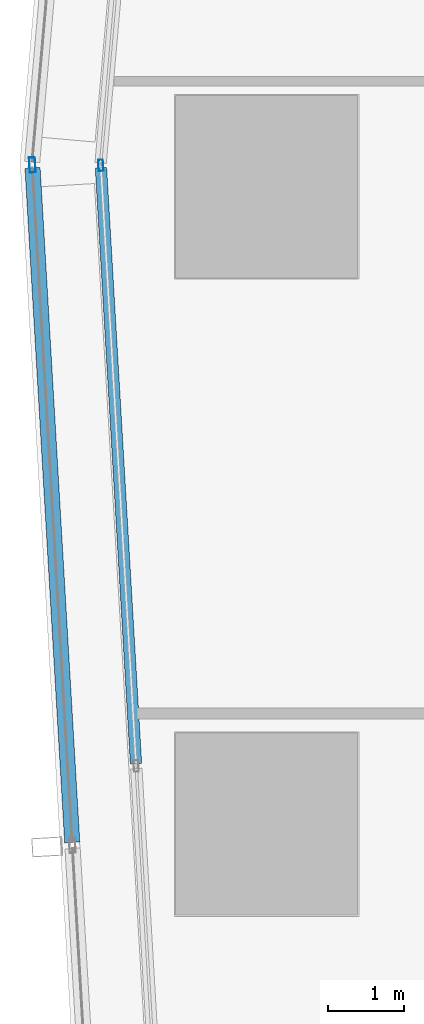
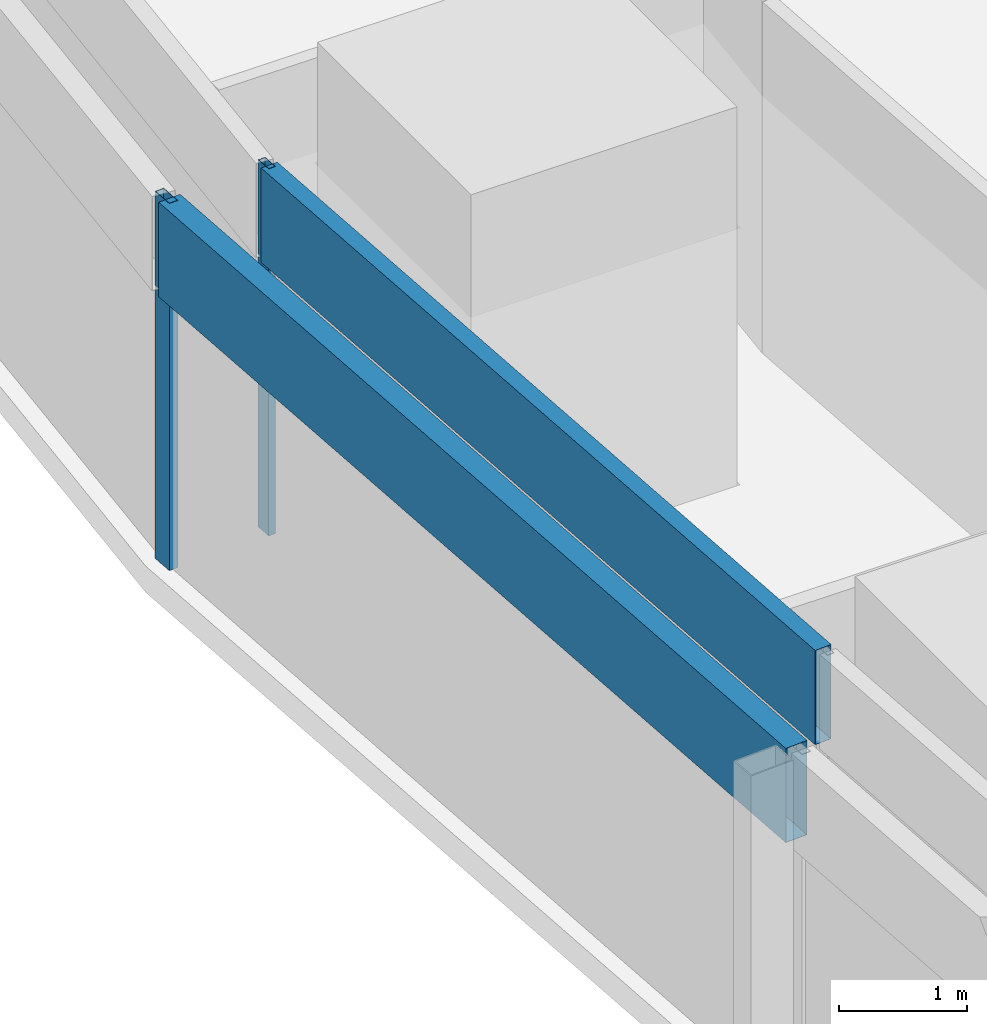
# One storey, part 7 of 37: 4 members, 2 elements without a shape of their own.
"""IFC4 building model written with IfcOpenShell, lengths in metres."""

import ifcopenshell
import ifcopenshell.guid

model = None  # the IFC model being written
_history = None  # IfcOwnerHistory: only IFC2X3 demands one
_inside = {}  # id of a spatial element -> (the spatial element, [elements in it])
_under = {}  # id of a project, library or spatial element -> (it, [spatial elements below it])
_declared = {}  # id of a project -> (the project, [libraries it declares])
_typed = {}  # id of a type object -> (the type object, [elements of that type])
_made_of = {}  # id of a material, layer set ... -> (it, [elements and type objects made of it])


def new_model(schema):
    """Start an empty IFC model of exactly this schema.

    Asked for "IFC4X3", IfcOpenShell would pick the latest addendum, in which some entities
    have other attributes; the version numbers below select the first issue.
    IFC2X3 requires an IfcOwnerHistory on every rooted entity: one is made here for all.
    """
    global model, _history
    if schema == "IFC4X3":
        model = ifcopenshell.file(schema_version=(4, 3, 0, 0))
    else:
        model = ifcopenshell.file(schema=schema)
    _inside.clear()
    _under.clear()
    _declared.clear()
    _typed.clear()
    _made_of.clear()
    _history = None
    if model.schema == "IFC2X3":
        org = make("IfcOrganization", Name="unknown")
        user = make(
            "IfcPersonAndOrganization",
            ThePerson=make("IfcPerson", FamilyName="unknown"),
            TheOrganization=org,
        )
        app = make(
            "IfcApplication",
            ApplicationDeveloper=org,
            Version="unknown",
            ApplicationFullName="unknown",
            ApplicationIdentifier="unknown",
        )
        _history = make(
            "IfcOwnerHistory",
            OwningUser=user,
            OwningApplication=app,
            ChangeAction="ADDED",
            CreationDate=0,
        )
    return model


def make(cls, **values):
    """One entity of the class cls with the attributes given. An attribute that is None is left unset."""
    return model.create_entity(
        cls, **{name: value for name, value in values.items() if value is not None}
    )


def rooted(cls, **values):
    """An entity with a GlobalId (a new one), such as an element, a storey or a relation."""
    return make(cls, GlobalId=ifcopenshell.guid.new(), OwnerHistory=_history, **values)


def si_unit(unit_type, name, prefix=None):
    """IfcSIUnit, for example si_unit("LENGTHUNIT", "METRE", prefix="MILLI")."""
    return make("IfcSIUnit", UnitType=unit_type, Prefix=prefix, Name=name)


def assignment(units):
    """IfcUnitAssignment: the units of a project."""
    return None if units is None else make("IfcUnitAssignment", Units=units)


def point(xyz):
    """IfcCartesianPoint."""
    return None if xyz is None else make("IfcCartesianPoint", Coordinates=xyz)


def direction(xyz):
    """IfcDirection."""
    return None if xyz is None else make("IfcDirection", DirectionRatios=xyz)


def frame(location, z_axis=None, x_axis=None):
    """IfcAxis2Placement3D, a coordinate frame: its origin and axes. An axis left out is left unset."""
    return make(
        "IfcAxis2Placement3D",
        Location=point(location),
        Axis=direction(z_axis),
        RefDirection=direction(x_axis),
    )


def frame_2d(location, x_axis=None):
    """IfcAxis2Placement2D, a coordinate frame in the plane: its origin and x axis."""
    return make(
        "IfcAxis2Placement2D", Location=point(location), RefDirection=direction(x_axis)
    )


def origin():
    """The frame at (0, 0, 0) with its axes left unset."""
    return frame((0.0, 0.0, 0.0))


def origin_2d():
    """The frame at (0, 0) in the plane with its x axis left unset."""
    return frame_2d((0.0, 0.0))


def place(relative_to, where):
    """IfcLocalPlacement: puts the frame where relative to a parent placement (None: the world)."""
    return make(
        "IfcLocalPlacement", PlacementRelTo=relative_to, RelativePlacement=where
    )


def context(
    kind, dimensions, precision=None, world=None, true_north=None, identifier=None
):
    """IfcGeometricRepresentationContext, for example the 3D "Model" context."""
    return make(
        "IfcGeometricRepresentationContext",
        ContextIdentifier=identifier,
        ContextType=kind,
        CoordinateSpaceDimension=dimensions,
        Precision=precision,
        WorldCoordinateSystem=world,
        TrueNorth=true_north,
    )


def subcontext(parent, identifier, kind, view, scale=None):
    """IfcGeometricRepresentationSubContext, for example "Body" below "Model"."""
    return make(
        "IfcGeometricRepresentationSubContext",
        ContextIdentifier=identifier,
        ContextType=kind,
        ParentContext=parent,
        TargetScale=scale,
        TargetView=view,
    )


def project(units=None, contexts=None):
    """IfcProject with its units and contexts."""
    return rooted(
        "IfcProject",
        Name="project",
        RepresentationContexts=contexts,
        UnitsInContext=assignment(units),
    )


def spatial(cls, under=None, at=None, **own):
    """A site, building, storey or space (cls), placed at a placement, below another one or the project."""
    s = rooted(cls, ObjectPlacement=at, **own)
    if under is not None:
        _under.setdefault(under.id(), (under, []))[1].append(s)
    return s


def profile(cls, at=None, kind="AREA", **sizes):
    """A parametric profile (cls). Its sizes go by their IFC names, for example OverallWidth=200.0."""
    return make(cls, ProfileType=kind, Position=at, **sizes)


def hollow_rectangle(**sizes):
    """IfcRectangleHollowProfileDef."""
    return profile("IfcRectangleHollowProfileDef", **sizes)


def extrude(swept, where, along, depth):
    """IfcExtrudedAreaSolid: the profile swept, set in the frame where, extruded along a direction by depth."""
    return make(
        "IfcExtrudedAreaSolid",
        SweptArea=swept,
        Position=where,
        ExtrudedDirection=direction(along),
        Depth=depth,
    )


def shape(context_of_items, identifier, shape_type, items):
    """IfcShapeRepresentation: the items that make up one representation, for example the "Body"."""
    return make(
        "IfcShapeRepresentation",
        ContextOfItems=context_of_items,
        RepresentationIdentifier=identifier,
        RepresentationType=shape_type,
        Items=items,
    )


def material(Name=None, Category=None):
    """IfcMaterial."""
    return make("IfcMaterial", Name=Name, Category=Category)


def material_profile(
    of_material, cross_section, Name=None, Category=None, Priority=None
):
    """IfcMaterialProfile: a cross section and its material."""
    return make(
        "IfcMaterialProfile",
        Name=Name,
        Material=of_material,
        Profile=cross_section,
        Priority=Priority,
        Category=Category,
    )


def profile_set(profiles, Name=None, composite=None):
    """IfcMaterialProfileSet."""
    return make(
        "IfcMaterialProfileSet",
        Name=Name,
        MaterialProfiles=profiles,
        CompositeProfile=composite,
    )


def made_of(thing, what):
    """Note that an element or type object is made of a material, layer set ...; save() writes the relation."""
    if what is not None:
        _made_of.setdefault(what.id(), (what, []))[1].append(thing)
    return thing


def type_object(cls, material=None, **own):
    """A type object (cls), such as IfcWallType, which elements share."""
    return made_of(rooted(cls, **own), material)


def element(
    cls,
    number,
    at=None,
    inside=None,
    cuts=None,
    type_object=None,
    material=None,
    context=None,
    identifier="Body",
    shape_type=None,
    held_by="IfcProductDefinitionShape",
    body=None,
    shapes=None,
    **own,
):
    """One element of the class cls, such as IfcWall. Its Tag is "e" and its number.

    at: its placement. inside: the storey or other place that contains it. cuts: it is an
    opening in that element (IfcRelVoidsElement). A single representation is given by context,
    identifier, shape_type and body (its items); several are given by shapes. held_by: the class
    of the entity that holds the representations. save() writes the other relations.
    """
    e = rooted(cls, Tag="e%d" % number, ObjectPlacement=at, **own)
    if body is not None:
        shapes = [shape(context, identifier, shape_type, body)]
    if shapes is not None:
        e.Representation = make(held_by, Representations=shapes)
    if inside is not None:
        _inside.setdefault(inside.id(), (inside, []))[1].append(e)
    if cuts is not None:
        rooted(
            "IfcRelVoidsElement", RelatingBuildingElement=cuts, RelatedOpeningElement=e
        )
    if type_object is not None:
        _typed.setdefault(type_object.id(), (type_object, []))[1].append(e)
    return made_of(e, material)


def aggregate(whole, parts):
    """IfcRelAggregates: a whole, such as a stair, and the parts it consists of."""
    return rooted("IfcRelAggregates", RelatingObject=whole, RelatedObjects=parts)


def save(model, path):
    """Write the relations noted so far, then the file.

    IfcRelAggregates (storeys below a building ...), IfcRelContainedInSpatialStructure (elements
    in a storey), IfcRelDefinesByType, IfcRelAssociatesMaterial and IfcRelDeclares: one each for
    every whole, place, type object, material and project.
    """
    for whole, parts in _under.values():
        aggregate(whole, parts)
    for where, things in _inside.values():
        rooted(
            "IfcRelContainedInSpatialStructure",
            RelatedElements=things,
            RelatingStructure=where,
        )
    for kind, things in _typed.values():
        rooted("IfcRelDefinesByType", RelatedObjects=things, RelatingType=kind)
    for what, things in _made_of.values():
        rooted("IfcRelAssociatesMaterial", RelatedObjects=things, RelatingMaterial=what)
    for by, libraries in _declared.values():
        rooted("IfcRelDeclares", RelatingContext=by, RelatedDefinitions=libraries)
    model.write(path)


model = new_model("IFC4")

# Units and contexts
model_context = context("Model", 3, precision=1e-05, world=origin(), true_north=direction((0.0, 1.0)))
body_context = subcontext(model_context, "Body", "Model", "MODEL_VIEW")
ifc_project = project(units=[si_unit("LENGTHUNIT", "METRE"), si_unit("AREAUNIT", "SQUARE_METRE"), si_unit("VOLUMEUNIT", "CUBIC_METRE"), si_unit("PLANEANGLEUNIT", "RADIAN"), si_unit("MASSUNIT", "GRAM", prefix="KILO")], contexts=[model_context])

# Site, building, storey
site_placement = place(None, origin())
site = spatial("IfcSite", under=ifc_project, at=site_placement, CompositionType="ELEMENT")
building_placement = place(site_placement, origin())
building = spatial("IfcBuilding", under=site, at=building_placement, Name="Rekha Terrace Tower", CompositionType="ELEMENT")
storey_placement = place(building_placement, frame((0.0, 0.0, 232.699951171875)))
storey = spatial("IfcBuildingStorey", under=building, at=storey_placement, Name="L59", CompositionType="ELEMENT", Elevation=232.699951171875)

# Curtain wall, members
ifc_material_1 = material(Name="Aluminium framing", Category="aluminium")
curtain_wall_type_1 = type_object("IfcCurtainWallType", Name="CW1 double skin inner glazing", PredefinedType="USERDEFINED", material=ifc_material_1)
curtain_wall_1_placement = place(storey_placement, origin())
curtain_wall_1 = element("IfcCurtainWall", 1, at=curtain_wall_1_placement, inside=storey, type_object=curtain_wall_type_1, Name="CW1 double skin inner glazing", ObjectType="DOUBLE SKIN INNER GLAZING", PredefinedType="USERDEFINED")
ifc_material_2 = material(Name="Aluminium mullion section", Category="aluminium")
ifc_material_profile_1 = material_profile(ifc_material_2, hollow_rectangle(XDim=0.06494140625, YDim=0.14990234375, WallThickness=0.00390625, at=origin_2d()), Name="AL RHS 65x150")
ifc_profile_set_1 = profile_set([ifc_material_profile_1], Name="Aluminium mullion section")
member_type_1 = type_object("IfcMemberType", Name="CW1 mullion RHS 65 x 150", PredefinedType="MULLION", material=ifc_profile_set_1)
member_1_placement = place(storey_placement, frame((6.214599609375, 42.281982421875, 0.0), z_axis=(0.0, 0.0, 1.0), x_axis=(0.998271839267, 0.058765082551, 0.0)))
member_1 = element("IfcMember", 2, at=member_1_placement, type_object=member_type_1, Name="CW1 mullion 1", PredefinedType="MULLION", context=body_context, shape_type="SweptSolid", body=[
    extrude(hollow_rectangle(XDim=0.06494140625, YDim=0.14990234375, WallThickness=0.00390625, at=origin_2d()), origin(), (0.0, 0.0, 1.0), 3.5),
])
ifc_material_3 = material(Name="Insulated aluminium spandrel box", Category="aluminium")
ifc_material_profile_2 = material_profile(ifc_material_3, hollow_rectangle(XDim=0.14990234375, YDim=0.89990234375, WallThickness=0.0029296875, at=origin_2d()), Name="AL SPANDREL BOX 150x900")
ifc_profile_set_2 = profile_set([ifc_material_profile_2], Name="Insulated aluminium spandrel box")
member_type_2 = type_object("IfcMemberType", Name="CW1 spandrel transom 150 x 900", PredefinedType="USERDEFINED", material=ifc_profile_set_2)
member_2_placement = place(storey_placement, frame((6.216552734375, 42.24951171875, 3.050048828125), z_axis=(0.058762055073, -0.99827201748, 0.0), x_axis=(0.99827201748, 0.058762055073, 0.0)))
member_2 = element("IfcMember", 3, at=member_2_placement, type_object=member_type_2, Name="CW1 spandrel transom 1", ObjectType="TRANSOM", PredefinedType="USERDEFINED", context=body_context, shape_type="SweptSolid", body=[
    extrude(hollow_rectangle(XDim=0.14990234375, YDim=0.89990234375, WallThickness=0.0029296875, at=origin_2d()), origin(), (0.0, 0.0, 1.0), 7.864990234375),
])
aggregate(curtain_wall_1, [member_1, member_2])

curtain_wall_type_2 = type_object("IfcCurtainWallType", Name="CW2 double skin outer glazing", PredefinedType="USERDEFINED", material=ifc_material_1)
curtain_wall_2_placement = place(storey_placement, origin())
curtain_wall_2 = element("IfcCurtainWall", 4, at=curtain_wall_2_placement, inside=storey, type_object=curtain_wall_type_2, Name="CW2 double skin outer glazing", ObjectType="DOUBLE SKIN OUTER GLAZING", PredefinedType="USERDEFINED")
ifc_material_profile_3 = material_profile(ifc_material_2, hollow_rectangle(XDim=0.080078125, YDim=0.199951171875, WallThickness=0.00390625, at=origin_2d()), Name="AL RHS 80x200")
ifc_profile_set_3 = profile_set([ifc_material_profile_3], Name="Aluminium mullion section")
member_type_3 = type_object("IfcMemberType", Name="CW2 mullion RHS 80 x 200", PredefinedType="MULLION", material=ifc_profile_set_3)
member_3_placement = place(storey_placement, frame((5.312744140625, 42.287841796875, 0.0), z_axis=(0.0, 0.0, 1.0), x_axis=(0.99827183927, 0.058765082499, 0.0)))
member_3 = element("IfcMember", 5, at=member_3_placement, type_object=member_type_3, Name="CW2 mullion 1", PredefinedType="MULLION", context=body_context, shape_type="SweptSolid", body=[
    extrude(hollow_rectangle(XDim=0.080078125, YDim=0.199951171875, WallThickness=0.00390625, at=origin_2d()), origin(), (0.0, 0.0, 1.0), 3.5),
])
ifc_material_profile_4 = material_profile(ifc_material_3, hollow_rectangle(XDim=0.199951171875, YDim=0.89990234375, WallThickness=0.0029296875, at=origin_2d()), Name="AL SPANDREL BOX 200x900")
ifc_profile_set_4 = profile_set([ifc_material_profile_4], Name="Insulated aluminium spandrel box")
member_type_4 = type_object("IfcMemberType", Name="CW2 spandrel transom 200 x 900", PredefinedType="USERDEFINED", material=ifc_profile_set_4)
member_4_placement = place(storey_placement, frame((5.315185546875, 42.247802734375, 3.050048828125), z_axis=(0.058762207171, -0.998272008527, 0.0), x_axis=(0.998272008527, 0.058762207171, 0.0)))
member_4 = element("IfcMember", 6, at=member_4_placement, type_object=member_type_4, Name="CW2 spandrel transom 1", ObjectType="TRANSOM", PredefinedType="USERDEFINED", context=body_context, shape_type="SweptSolid", body=[
    extrude(hollow_rectangle(XDim=0.199951171875, YDim=0.89990234375, WallThickness=0.0029296875, at=origin_2d()), origin(), (0.0, 0.0, 1.0), 8.903564453125),
])
aggregate(curtain_wall_2, [member_3, member_4])

save(model, "model.ifc")
